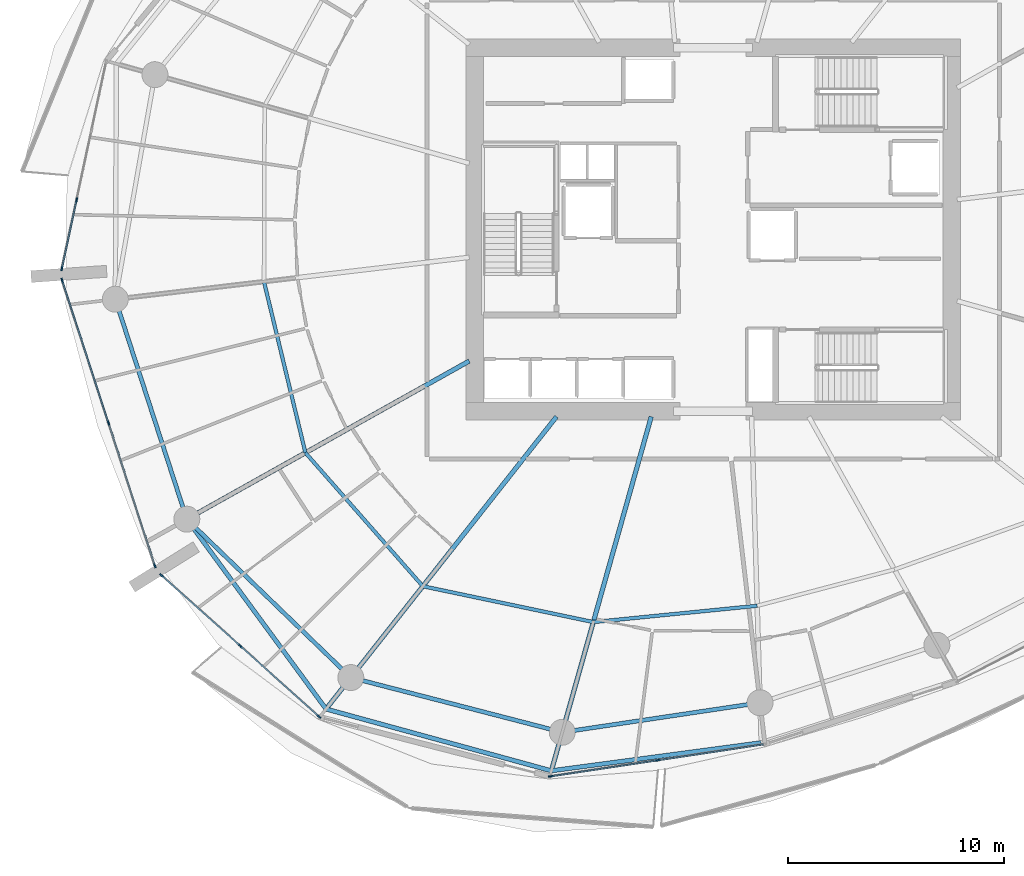
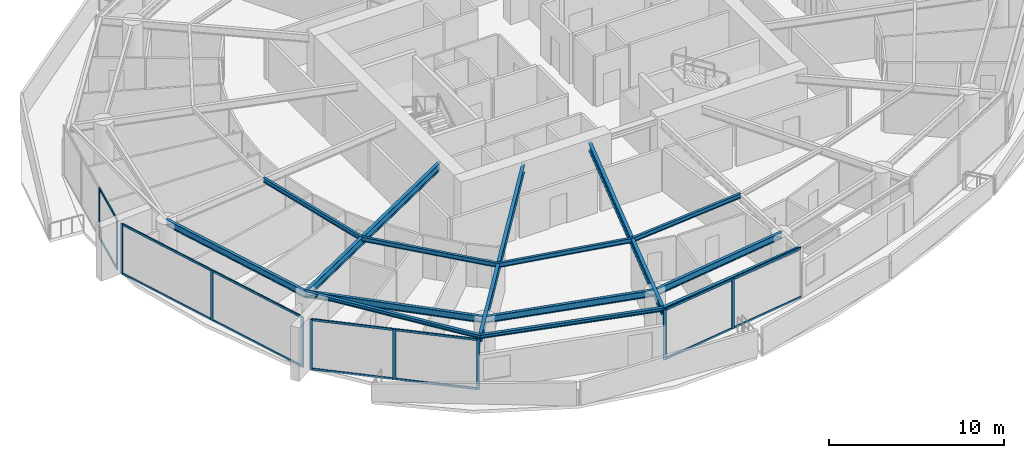
# One storey, part 5 of 23: 24 members, 14 beams, 4 elements without a shape of their own.
"""IFC4 building model written with IfcOpenShell, lengths in metres."""

import ifcopenshell
import ifcopenshell.guid

model = None  # the IFC model being written
_history = None  # IfcOwnerHistory: only IFC2X3 demands one
_inside = {}  # id of a spatial element -> (the spatial element, [elements in it])
_under = {}  # id of a project, library or spatial element -> (it, [spatial elements below it])
_declared = {}  # id of a project -> (the project, [libraries it declares])
_typed = {}  # id of a type object -> (the type object, [elements of that type])
_made_of = {}  # id of a material, layer set ... -> (it, [elements and type objects made of it])


def new_model(schema):
    """Start an empty IFC model of exactly this schema.

    Asked for "IFC4X3", IfcOpenShell would pick the latest addendum, in which some entities
    have other attributes; the version numbers below select the first issue.
    IFC2X3 requires an IfcOwnerHistory on every rooted entity: one is made here for all.
    """
    global model, _history
    if schema == "IFC4X3":
        model = ifcopenshell.file(schema_version=(4, 3, 0, 0))
    else:
        model = ifcopenshell.file(schema=schema)
    _inside.clear()
    _under.clear()
    _declared.clear()
    _typed.clear()
    _made_of.clear()
    _history = None
    if model.schema == "IFC2X3":
        org = make("IfcOrganization", Name="unknown")
        user = make(
            "IfcPersonAndOrganization",
            ThePerson=make("IfcPerson", FamilyName="unknown"),
            TheOrganization=org,
        )
        app = make(
            "IfcApplication",
            ApplicationDeveloper=org,
            Version="unknown",
            ApplicationFullName="unknown",
            ApplicationIdentifier="unknown",
        )
        _history = make(
            "IfcOwnerHistory",
            OwningUser=user,
            OwningApplication=app,
            ChangeAction="ADDED",
            CreationDate=0,
        )
    return model


def make(cls, **values):
    """One entity of the class cls with the attributes given. An attribute that is None is left unset."""
    return model.create_entity(
        cls, **{name: value for name, value in values.items() if value is not None}
    )


def rooted(cls, **values):
    """An entity with a GlobalId (a new one), such as an element, a storey or a relation."""
    return make(cls, GlobalId=ifcopenshell.guid.new(), OwnerHistory=_history, **values)


def si_unit(unit_type, name, prefix=None):
    """IfcSIUnit, for example si_unit("LENGTHUNIT", "METRE", prefix="MILLI")."""
    return make("IfcSIUnit", UnitType=unit_type, Prefix=prefix, Name=name)


def assignment(units):
    """IfcUnitAssignment: the units of a project."""
    return None if units is None else make("IfcUnitAssignment", Units=units)


def point(xyz):
    """IfcCartesianPoint."""
    return None if xyz is None else make("IfcCartesianPoint", Coordinates=xyz)


def direction(xyz):
    """IfcDirection."""
    return None if xyz is None else make("IfcDirection", DirectionRatios=xyz)


def frame(location, z_axis=None, x_axis=None):
    """IfcAxis2Placement3D, a coordinate frame: its origin and axes. An axis left out is left unset."""
    return make(
        "IfcAxis2Placement3D",
        Location=point(location),
        Axis=direction(z_axis),
        RefDirection=direction(x_axis),
    )


def frame_2d(location, x_axis=None):
    """IfcAxis2Placement2D, a coordinate frame in the plane: its origin and x axis."""
    return make(
        "IfcAxis2Placement2D", Location=point(location), RefDirection=direction(x_axis)
    )


def origin():
    """The frame at (0, 0, 0) with its axes left unset."""
    return frame((0.0, 0.0, 0.0))


def origin_2d():
    """The frame at (0, 0) in the plane with its x axis left unset."""
    return frame_2d((0.0, 0.0))


def place(relative_to, where):
    """IfcLocalPlacement: puts the frame where relative to a parent placement (None: the world)."""
    return make(
        "IfcLocalPlacement", PlacementRelTo=relative_to, RelativePlacement=where
    )


def context(
    kind, dimensions, precision=None, world=None, true_north=None, identifier=None
):
    """IfcGeometricRepresentationContext, for example the 3D "Model" context."""
    return make(
        "IfcGeometricRepresentationContext",
        ContextIdentifier=identifier,
        ContextType=kind,
        CoordinateSpaceDimension=dimensions,
        Precision=precision,
        WorldCoordinateSystem=world,
        TrueNorth=true_north,
    )


def subcontext(parent, identifier, kind, view, scale=None):
    """IfcGeometricRepresentationSubContext, for example "Body" below "Model"."""
    return make(
        "IfcGeometricRepresentationSubContext",
        ContextIdentifier=identifier,
        ContextType=kind,
        ParentContext=parent,
        TargetScale=scale,
        TargetView=view,
    )


def project(units=None, contexts=None):
    """IfcProject with its units and contexts."""
    return rooted(
        "IfcProject",
        Name="project",
        RepresentationContexts=contexts,
        UnitsInContext=assignment(units),
    )


def spatial(cls, under=None, at=None, **own):
    """A site, building, storey or space (cls), placed at a placement, below another one or the project."""
    s = rooted(cls, ObjectPlacement=at, **own)
    if under is not None:
        _under.setdefault(under.id(), (under, []))[1].append(s)
    return s


def profile(cls, at=None, kind="AREA", **sizes):
    """A parametric profile (cls). Its sizes go by their IFC names, for example OverallWidth=200.0."""
    return make(cls, ProfileType=kind, Position=at, **sizes)


def rectangle(**sizes):
    """IfcRectangleProfileDef."""
    return profile("IfcRectangleProfileDef", **sizes)


def i_section(**sizes):
    """IfcIShapeProfileDef."""
    return profile("IfcIShapeProfileDef", **sizes)


def extrude(swept, where, along, depth):
    """IfcExtrudedAreaSolid: the profile swept, set in the frame where, extruded along a direction by depth."""
    return make(
        "IfcExtrudedAreaSolid",
        SweptArea=swept,
        Position=where,
        ExtrudedDirection=direction(along),
        Depth=depth,
    )


def shape(context_of_items, identifier, shape_type, items):
    """IfcShapeRepresentation: the items that make up one representation, for example the "Body"."""
    return make(
        "IfcShapeRepresentation",
        ContextOfItems=context_of_items,
        RepresentationIdentifier=identifier,
        RepresentationType=shape_type,
        Items=items,
    )


def material(Name=None, Category=None):
    """IfcMaterial."""
    return make("IfcMaterial", Name=Name, Category=Category)


def layer(
    of_material, thickness, ventilated=None, Name=None, Category=None, Priority=None
):
    """IfcMaterialLayer: one layer of a wall or slab, of a material (None: an air gap)."""
    return make(
        "IfcMaterialLayer",
        Material=of_material,
        LayerThickness=thickness,
        IsVentilated=ventilated,
        Name=Name,
        Category=Category,
        Priority=Priority,
    )


def layer_set(layers, Name=None):
    """IfcMaterialLayerSet."""
    return make("IfcMaterialLayerSet", MaterialLayers=layers, LayerSetName=Name)


def material_profile(
    of_material, cross_section, Name=None, Category=None, Priority=None
):
    """IfcMaterialProfile: a cross section and its material."""
    return make(
        "IfcMaterialProfile",
        Name=Name,
        Material=of_material,
        Profile=cross_section,
        Priority=Priority,
        Category=Category,
    )


def profile_set(profiles, Name=None, composite=None):
    """IfcMaterialProfileSet."""
    return make(
        "IfcMaterialProfileSet",
        Name=Name,
        MaterialProfiles=profiles,
        CompositeProfile=composite,
    )


def made_of(thing, what):
    """Note that an element or type object is made of a material, layer set ...; save() writes the relation."""
    if what is not None:
        _made_of.setdefault(what.id(), (what, []))[1].append(thing)
    return thing


def type_object(cls, material=None, **own):
    """A type object (cls), such as IfcWallType, which elements share."""
    return made_of(rooted(cls, **own), material)


def element(
    cls,
    number,
    at=None,
    inside=None,
    cuts=None,
    type_object=None,
    material=None,
    context=None,
    identifier="Body",
    shape_type=None,
    held_by="IfcProductDefinitionShape",
    body=None,
    shapes=None,
    **own,
):
    """One element of the class cls, such as IfcWall. Its Tag is "e" and its number.

    at: its placement. inside: the storey or other place that contains it. cuts: it is an
    opening in that element (IfcRelVoidsElement). A single representation is given by context,
    identifier, shape_type and body (its items); several are given by shapes. held_by: the class
    of the entity that holds the representations. save() writes the other relations.
    """
    e = rooted(cls, Tag="e%d" % number, ObjectPlacement=at, **own)
    if body is not None:
        shapes = [shape(context, identifier, shape_type, body)]
    if shapes is not None:
        e.Representation = make(held_by, Representations=shapes)
    if inside is not None:
        _inside.setdefault(inside.id(), (inside, []))[1].append(e)
    if cuts is not None:
        rooted(
            "IfcRelVoidsElement", RelatingBuildingElement=cuts, RelatedOpeningElement=e
        )
    if type_object is not None:
        _typed.setdefault(type_object.id(), (type_object, []))[1].append(e)
    return made_of(e, material)


def aggregate(whole, parts):
    """IfcRelAggregates: a whole, such as a stair, and the parts it consists of."""
    return rooted("IfcRelAggregates", RelatingObject=whole, RelatedObjects=parts)


def save(model, path):
    """Write the relations noted so far, then the file.

    IfcRelAggregates (storeys below a building ...), IfcRelContainedInSpatialStructure (elements
    in a storey), IfcRelDefinesByType, IfcRelAssociatesMaterial and IfcRelDeclares: one each for
    every whole, place, type object, material and project.
    """
    for whole, parts in _under.values():
        aggregate(whole, parts)
    for where, things in _inside.values():
        rooted(
            "IfcRelContainedInSpatialStructure",
            RelatedElements=things,
            RelatingStructure=where,
        )
    for kind, things in _typed.values():
        rooted("IfcRelDefinesByType", RelatedObjects=things, RelatingType=kind)
    for what, things in _made_of.values():
        rooted("IfcRelAssociatesMaterial", RelatedObjects=things, RelatingMaterial=what)
    for by, libraries in _declared.values():
        rooted("IfcRelDeclares", RelatingContext=by, RelatedDefinitions=libraries)
    model.write(path)


model = new_model("IFC4")

# Units and contexts
model_context = context("Model", 3, precision=1e-05, world=origin(), true_north=direction((0.0, 1.0)))
body_context = subcontext(model_context, "Body", "Model", "MODEL_VIEW")
ifc_project = project(units=[si_unit("LENGTHUNIT", "METRE"), si_unit("AREAUNIT", "SQUARE_METRE"), si_unit("VOLUMEUNIT", "CUBIC_METRE"), si_unit("PLANEANGLEUNIT", "RADIAN"), si_unit("MASSUNIT", "GRAM", prefix="KILO")], contexts=[model_context])

# Site, building, storey
site_placement = place(None, origin())
site = spatial("IfcSite", under=ifc_project, at=site_placement, CompositionType="ELEMENT")
building_placement = place(site_placement, origin())
building = spatial("IfcBuilding", under=site, at=building_placement, Name="Kazma Halo Residences", CompositionType="ELEMENT")
storey_placement = place(building_placement, frame((0.0, 0.0, 78.89990234375)))
storey = spatial("IfcBuildingStorey", under=building, at=storey_placement, Name="L19", CompositionType="ELEMENT", Elevation=78.89990234375)

# Beams
ifc_material_1 = material(Name="Steel S355", Category="steel")
ifc_material_profile_1 = material_profile(ifc_material_1, i_section(OverallWidth=0.201904296875, OverallDepth=0.2470703125, WebThickness=0.00732421875, FlangeThickness=0.010986328125, FilletRadius=0.011962890625, at=origin_2d()), Name="W250x49.1")
ifc_profile_set_1 = profile_set([ifc_material_profile_1], Name="Steel S355")
beam_type_1 = type_object("IfcBeamType", Name="BM-BAL-CANT", PredefinedType="BEAM", material=ifc_profile_set_1)
beam_1_placement = place(storey_placement, frame((24.0966796875, 28.613525390625, 3.376708984375), z_axis=(0.59144927253, -0.806342209005, 0.0), x_axis=(0.806342209005, 0.59144927253, 0.0)))
element("IfcBeam", 1, at=beam_1_placement, inside=storey, type_object=beam_type_1, Name="L19 wave-balcony lead tie beam 09", PredefinedType="BEAM", context=body_context, shape_type="SweptSolid", body=[
    extrude(i_section(OverallWidth=0.201904296875, OverallDepth=0.2470703125, WebThickness=0.00732421875, FlangeThickness=0.010986328125, FilletRadius=0.011962890625, at=origin_2d()), origin(), (0.0, 0.0, 1.0), 10.87939453125),
])
beam_2_placement = place(storey_placement, frame((30.53125, 19.841064453125, 3.376708984375), z_axis=(0.964396617, -0.264460139, 0.0), x_axis=(0.264460139, 0.964396617, 0.0)))
element("IfcBeam", 2, at=beam_2_placement, inside=storey, type_object=beam_type_1, Name="L19 wave-balcony tie beam 10", PredefinedType="BEAM", context=body_context, shape_type="SweptSolid", body=[
    extrude(i_section(OverallWidth=0.201904296875, OverallDepth=0.2470703125, WebThickness=0.00732421875, FlangeThickness=0.010986328125, FilletRadius=0.011962890625, at=origin_2d()), origin(), (0.0, 0.0, 1.0), 10.79833984375),
])
beam_3_placement = place(storey_placement, frame((40.945068359375, 16.9853515625, 3.376708984375), z_axis=(0.991182511795, 0.13250369169, 0.0), x_axis=(-0.13250369169, 0.991182511795, 0.0)))
element("IfcBeam", 3, at=beam_3_placement, inside=storey, type_object=beam_type_1, Name="L19 wave-balcony tie beam 11", PredefinedType="BEAM", context=body_context, shape_type="SweptSolid", body=[
    extrude(i_section(OverallWidth=0.201904296875, OverallDepth=0.2470703125, WebThickness=0.00732421875, FlangeThickness=0.010986328125, FilletRadius=0.011962890625, at=origin_2d()), origin(), (0.0, 0.0, 1.0), 9.78369140625),
])
ifc_material_profile_2 = material_profile(ifc_material_1, i_section(OverallWidth=0.208984375, OverallDepth=0.532958984375, WebThickness=0.01025390625, FlangeThickness=0.015625, FilletRadius=0.01611328125, at=origin_2d()), Name="W530x92")
ifc_profile_set_2 = profile_set([ifc_material_profile_2], Name="Steel S355")
beam_type_2 = type_object("IfcBeamType", Name="BM-RAD-W530", PredefinedType="BEAM", material=ifc_profile_set_2)
beam_4_placement = place(storey_placement, frame((37.14990234375, 35.923583984375, 3.233642578125), z_axis=(-0.87249878074, -0.488616288724, 0.0), x_axis=(0.488616288724, -0.87249878074, 0.0)))
element("IfcBeam", 4, at=beam_4_placement, inside=storey, type_object=beam_type_2, Name="L19 radial floor beam 09", PredefinedType="BEAM", context=body_context, shape_type="SweptSolid", body=[
    extrude(i_section(OverallWidth=0.208984375, OverallDepth=0.532958984375, WebThickness=0.01025390625, FlangeThickness=0.015625, FilletRadius=0.01611328125, at=origin_2d()), origin(), (0.0, 0.0, 1.0), 14.960693359375),
])
beam_5_placement = place(storey_placement, frame((41.180908203125, 33.35009765625, 3.233642578125), z_axis=(-0.619093774822, -0.785317068436, 0.0), x_axis=(0.785317068436, -0.619093774822, 0.0)))
element("IfcBeam", 5, at=beam_5_placement, inside=storey, type_object=beam_type_2, Name="L19 radial floor beam 10", PredefinedType="BEAM", context=body_context, shape_type="SweptSolid", body=[
    extrude(i_section(OverallWidth=0.208984375, OverallDepth=0.532958984375, WebThickness=0.01025390625, FlangeThickness=0.015625, FilletRadius=0.01611328125, at=origin_2d()), origin(), (0.0, 0.0, 1.0), 17.201904296875),
])
beam_6_placement = place(storey_placement, frame((45.560302734375, 33.35009765625, 3.233642578125), z_axis=(-0.271434928076, -0.962456793742, 0.0), x_axis=(0.962456793742, -0.271434928076, 0.0)))
element("IfcBeam", 6, at=beam_6_placement, inside=storey, type_object=beam_type_2, Name="L19 radial floor beam 11", PredefinedType="BEAM", context=body_context, shape_type="SweptSolid", body=[
    extrude(i_section(OverallWidth=0.208984375, OverallDepth=0.532958984375, WebThickness=0.01025390625, FlangeThickness=0.015625, FilletRadius=0.01611328125, at=origin_2d()), origin(), (0.0, 0.0, 1.0), 17.003173828125),
])
ifc_material_profile_3 = material_profile(ifc_material_1, i_section(OverallWidth=0.1650390625, OverallDepth=0.31005859375, WebThickness=0.005859375, FlangeThickness=0.009765625, FilletRadius=0.011962890625, at=origin_2d()), Name="W310x38.7")
ifc_profile_set_3 = profile_set([ifc_material_profile_3], Name="Steel S355")
beam_type_3 = type_object("IfcBeamType", Name="BM-SEC-W310B", PredefinedType="JOIST", material=ifc_profile_set_3)
beam_7_placement = place(storey_placement, frame((27.6630859375, 39.593017578125, 3.34521484375), z_axis=(0.235442033286, -0.971888393264, 0.0), x_axis=(0.971888393264, 0.235442033286, 0.0)))
element("IfcBeam", 7, at=beam_7_placement, inside=storey, type_object=beam_type_3, Name="L19 circumferential floor joist 08", PredefinedType="JOIST", context=body_context, shape_type="SweptSolid", body=[
    extrude(i_section(OverallWidth=0.1650390625, OverallDepth=0.31005859375, WebThickness=0.005859375, FlangeThickness=0.009765625, FilletRadius=0.011962890625, at=origin_2d()), origin(), (0.0, 0.0, 1.0), 8.137939453125),
])
beam_8_placement = place(storey_placement, frame((29.5791015625, 31.683837890625, 3.34521484375), z_axis=(0.660379309564, -0.750932199003, 0.0), x_axis=(0.750932199003, 0.660379309564, 0.0)))
element("IfcBeam", 8, at=beam_8_placement, inside=storey, type_object=beam_type_3, Name="L19 circumferential floor joist 09", PredefinedType="JOIST", context=body_context, shape_type="SweptSolid", body=[
    extrude(i_section(OverallWidth=0.1650390625, OverallDepth=0.31005859375, WebThickness=0.005859375, FlangeThickness=0.009765625, FilletRadius=0.011962890625, at=origin_2d()), origin(), (0.0, 0.0, 1.0), 8.215087890625),
])
beam_9_placement = place(storey_placement, frame((35.004150390625, 25.514892578125, 3.34521484375), z_axis=(0.978607976751, -0.205733876255, 0.0), x_axis=(0.205733876255, 0.978607976751, 0.0)))
element("IfcBeam", 9, at=beam_9_placement, inside=storey, type_object=beam_type_3, Name="L19 circumferential floor joist 10", PredefinedType="JOIST", context=body_context, shape_type="SweptSolid", body=[
    extrude(i_section(OverallWidth=0.1650390625, OverallDepth=0.31005859375, WebThickness=0.005859375, FlangeThickness=0.009765625, FilletRadius=0.011962890625, at=origin_2d()), origin(), (0.0, 0.0, 1.0), 8.051513671875),
])
beam_10_placement = place(storey_placement, frame((42.883544921875, 23.8583984375, 3.34521484375), z_axis=(0.995106821048, 0.098804932586, 0.0), x_axis=(-0.098804932586, 0.995106821048, 0.0)))
element("IfcBeam", 10, at=beam_10_placement, inside=storey, type_object=beam_type_3, Name="L19 circumferential floor joist 11", PredefinedType="JOIST", context=body_context, shape_type="SweptSolid", body=[
    extrude(i_section(OverallWidth=0.1650390625, OverallDepth=0.31005859375, WebThickness=0.005859375, FlangeThickness=0.009765625, FilletRadius=0.011962890625, at=origin_2d()), origin(), (0.0, 0.0, 1.0), 7.610595703125),
])
ifc_material_profile_4 = material_profile(ifc_material_1, i_section(OverallWidth=0.18994140625, OverallDepth=0.45703125, WebThickness=0.009033203125, FlangeThickness=0.014404296875, FilletRadius=0.01611328125, at=origin_2d()), Name="W460x74")
ifc_profile_set_4 = profile_set([ifc_material_profile_4], Name="Steel S355")
beam_type_4 = type_object("IfcBeamType", Name="BM-SPN-W460", PredefinedType="BEAM", material=ifc_profile_set_4)
beam_11_placement = place(storey_placement, frame((20.79345703125, 38.77978515625, 3.271484375), z_axis=(0.309017385422, -0.951056389236, 0.0), x_axis=(0.951056389236, 0.309017385422, 0.0)))
element("IfcBeam", 11, at=beam_11_placement, inside=storey, type_object=beam_type_4, Name="L19 perimeter ring beam 08", PredefinedType="BEAM", context=body_context, shape_type="SweptSolid", body=[
    extrude(i_section(OverallWidth=0.18994140625, OverallDepth=0.45703125, WebThickness=0.009033203125, FlangeThickness=0.014404296875, FilletRadius=0.01611328125, at=origin_2d()), origin(), (0.0, 0.0, 1.0), 10.689453125),
])
beam_12_placement = place(storey_placement, frame((24.0966796875, 28.613525390625, 3.271484375), z_axis=(0.719336783114, -0.694661494873, 0.0), x_axis=(0.694661494873, 0.719336783114, 0.0)))
element("IfcBeam", 12, at=beam_12_placement, inside=storey, type_object=beam_type_4, Name="L19 perimeter ring beam 09", PredefinedType="BEAM", context=body_context, shape_type="SweptSolid", body=[
    extrude(i_section(OverallWidth=0.18994140625, OverallDepth=0.45703125, WebThickness=0.009033203125, FlangeThickness=0.014404296875, FilletRadius=0.01611328125, at=origin_2d()), origin(), (0.0, 0.0, 1.0), 10.537353515625),
])
beam_13_placement = place(storey_placement, frame((31.676513671875, 21.293701171875, 3.271484375), z_axis=(0.968124968683, -0.250467652626, 0.0), x_axis=(0.250467652626, 0.968124968683, 0.0)))
element("IfcBeam", 13, at=beam_13_placement, inside=storey, type_object=beam_type_4, Name="L19 perimeter ring beam 10", PredefinedType="BEAM", context=body_context, shape_type="SweptSolid", body=[
    extrude(i_section(OverallWidth=0.18994140625, OverallDepth=0.45703125, WebThickness=0.009033203125, FlangeThickness=0.014404296875, FilletRadius=0.01611328125, at=origin_2d()), origin(), (0.0, 0.0, 1.0), 10.092529296875),
])
beam_14_placement = place(storey_placement, frame((41.447265625, 18.765869140625, 3.271484375), z_axis=(0.989034176303, 0.147686824414, 0.0), x_axis=(-0.147686824414, 0.989034176303, 0.0)))
element("IfcBeam", 14, at=beam_14_placement, inside=storey, type_object=beam_type_4, Name="L19 perimeter ring beam 11", PredefinedType="BEAM", context=body_context, shape_type="SweptSolid", body=[
    extrude(i_section(OverallWidth=0.18994140625, OverallDepth=0.45703125, WebThickness=0.009033203125, FlangeThickness=0.014404296875, FilletRadius=0.01611328125, at=origin_2d()), origin(), (0.0, 0.0, 1.0), 9.242431640625),
])

# Curtain wall, members
ifc_material_2 = material(Name="Aluminium AW-6063 T6 and Triple-Silver Low-E Glass", Category="aluminium")
ifc_layer = layer(ifc_material_2, 0.199951171875)
ifc_layer_set = layer_set([ifc_layer], Name="Aluminium AW-6063 T6 and Triple-Silver Low-E Glass")
curtain_wall_type = type_object("IfcCurtainWallType", Name="CW-SYS-3", PredefinedType="NOTDEFINED", material=ifc_layer_set)
curtain_wall_1_placement = place(storey_placement, origin())
curtain_wall_1 = element("IfcCurtainWall", 15, at=curtain_wall_1_placement, inside=storey, type_object=curtain_wall_type, Name="L19 unitised curtain wall B07", PredefinedType="NOTDEFINED")
ifc_material_3 = material(Name="Aluminium AW-6063 T6", Category="aluminium")
ifc_material_profile_5 = material_profile(ifc_material_3, rectangle(XDim=0.070068359375, YDim=0.199951171875, at=origin_2d()), Name="CWM-70x200")
ifc_profile_set_5 = profile_set([ifc_material_profile_5], Name="Aluminium AW-6063 T6")
member_type_1 = type_object("IfcMemberType", Name="CW-SYS-3-MUL", PredefinedType="MULLION", material=ifc_profile_set_5)
member_1_placement = place(storey_placement, frame((19.004638671875, 43.36865234375, 0.0), z_axis=(0.0, 0.0, 1.0), x_axis=(0.977774176093, -0.209660822677, 0.0)))
member_1 = element("IfcMember", 16, at=member_1_placement, type_object=member_type_1, Name="CWS-3 mullion 3", PredefinedType="MULLION", context=body_context, shape_type="SweptSolid", body=[
    extrude(rectangle(XDim=0.070068359375, YDim=0.199951171875, at=origin_2d()), origin(), (0.0, 0.0, 1.0), 3.5),
])
member_2_placement = place(storey_placement, frame((18.323486328125, 40.192626953125, 0.0), z_axis=(0.0, 0.0, 1.0), x_axis=(0.977774176093, -0.209660822677, 0.0)))
member_2 = element("IfcMember", 17, at=member_2_placement, type_object=member_type_1, Name="CWS-3 mullion 4", PredefinedType="MULLION", context=body_context, shape_type="SweptSolid", body=[
    extrude(rectangle(XDim=0.070068359375, YDim=0.199951171875, at=origin_2d()), origin(), (0.0, 0.0, 1.0), 3.5),
])

curtain_wall_2_placement = place(storey_placement, origin())
curtain_wall_2 = element("IfcCurtainWall", 18, at=curtain_wall_2_placement, inside=storey, type_object=curtain_wall_type, Name="L19 unitised curtain wall B08", PredefinedType="NOTDEFINED")
member_3_placement = place(storey_placement, frame((18.334716796875, 39.6572265625, 0.0), z_axis=(0.0, 0.0, 1.0), x_axis=(0.951057722508, 0.309013282008, 0.0)))
member_3 = element("IfcMember", 19, at=member_3_placement, type_object=member_type_1, Name="CWS-3 mullion 1", PredefinedType="MULLION", context=body_context, shape_type="SweptSolid", body=[
    extrude(rectangle(XDim=0.070068359375, YDim=0.199951171875, at=origin_2d()), origin(), (0.0, 0.0, 1.0), 3.5),
])
member_4_placement = place(storey_placement, frame((20.47900390625, 33.057861328125, 0.0), z_axis=(0.0, 0.0, 1.0), x_axis=(0.951057722508, 0.309013282008, 0.0)))
member_4 = element("IfcMember", 20, at=member_4_placement, type_object=member_type_1, Name="CWS-3 mullion 2", PredefinedType="MULLION", context=body_context, shape_type="SweptSolid", body=[
    extrude(rectangle(XDim=0.070068359375, YDim=0.199951171875, at=origin_2d()), origin(), (0.0, 0.0, 1.0), 3.5),
])
member_5_placement = place(storey_placement, frame((22.623291015625, 26.45849609375, 0.0), z_axis=(0.0, 0.0, 1.0), x_axis=(0.951057722508, 0.309013282008, 0.0)))
member_5 = element("IfcMember", 21, at=member_5_placement, type_object=member_type_1, Name="CWS-3 mullion 3", PredefinedType="MULLION", context=body_context, shape_type="SweptSolid", body=[
    extrude(rectangle(XDim=0.070068359375, YDim=0.199951171875, at=origin_2d()), origin(), (0.0, 0.0, 1.0), 3.5),
])

curtain_wall_3_placement = place(storey_placement, origin())
curtain_wall_3 = element("IfcCurtainWall", 22, at=curtain_wall_3_placement, inside=storey, type_object=curtain_wall_type, Name="L19 unitised curtain wall B09", PredefinedType="NOTDEFINED")
member_6_placement = place(storey_placement, frame((22.928955078125, 26.018798828125, 0.0), z_axis=(0.0, 0.0, 1.0), x_axis=(0.667794957375, 0.744345279359, 0.0)))
member_6 = element("IfcMember", 23, at=member_6_placement, type_object=member_type_1, Name="CWS-3 mullion 1", PredefinedType="MULLION", context=body_context, shape_type="SweptSolid", body=[
    extrude(rectangle(XDim=0.070068359375, YDim=0.199951171875, at=origin_2d()), origin(), (0.0, 0.0, 1.0), 3.5),
])
member_7_placement = place(storey_placement, frame((26.568603515625, 22.75341796875, 0.0), z_axis=(0.0, 0.0, 1.0), x_axis=(0.667794957375, 0.744345279359, 0.0)))
member_7 = element("IfcMember", 24, at=member_7_placement, type_object=member_type_1, Name="CWS-3 mullion 2", PredefinedType="MULLION", context=body_context, shape_type="SweptSolid", body=[
    extrude(rectangle(XDim=0.070068359375, YDim=0.199951171875, at=origin_2d()), origin(), (0.0, 0.0, 1.0), 3.5),
])
member_8_placement = place(storey_placement, frame((30.208251953125, 19.48779296875, 0.0), z_axis=(0.0, 0.0, 1.0), x_axis=(0.667794957375, 0.744345279359, 0.0)))
member_8 = element("IfcMember", 25, at=member_8_placement, type_object=member_type_1, Name="CWS-3 mullion 3", PredefinedType="MULLION", context=body_context, shape_type="SweptSolid", body=[
    extrude(rectangle(XDim=0.070068359375, YDim=0.199951171875, at=origin_2d()), origin(), (0.0, 0.0, 1.0), 3.5),
])

curtain_wall_4_placement = place(storey_placement, origin())
curtain_wall_4 = element("IfcCurtainWall", 26, at=curtain_wall_4_placement, inside=storey, type_object=curtain_wall_type, Name="L19 unitised curtain wall B11", PredefinedType="NOTDEFINED")
member_9_placement = place(storey_placement, frame((40.90576171875, 16.728271484375, 0.0), z_axis=(0.0, 0.0, 1.0), x_axis=(-0.148717330409, 0.988879747814, 0.0)))
member_9 = element("IfcMember", 27, at=member_9_placement, type_object=member_type_1, Name="CWS-3 mullion 1", PredefinedType="MULLION", context=body_context, shape_type="SweptSolid", body=[
    extrude(rectangle(XDim=0.070068359375, YDim=0.199951171875, at=origin_2d()), origin(), (0.0, 0.0, 1.0), 3.5),
])
member_10_placement = place(storey_placement, frame((45.843017578125, 17.470703125, 0.0), z_axis=(0.0, 0.0, 1.0), x_axis=(-0.148717330409, 0.988879747814, 0.0)))
member_10 = element("IfcMember", 28, at=member_10_placement, type_object=member_type_1, Name="CWS-3 mullion 2", PredefinedType="MULLION", context=body_context, shape_type="SweptSolid", body=[
    extrude(rectangle(XDim=0.070068359375, YDim=0.199951171875, at=origin_2d()), origin(), (0.0, 0.0, 1.0), 3.5),
])

# Member
ifc_material_profile_6 = material_profile(ifc_material_3, rectangle(XDim=0.070068359375, YDim=0.14990234375, at=origin_2d()), Name="CWT-70x150")
ifc_profile_set_6 = profile_set([ifc_material_profile_6], Name="Aluminium AW-6063 T6")
member_type_2 = type_object("IfcMemberType", Name="CW-SYS-3-TRN", PredefinedType="USERDEFINED", material=ifc_profile_set_6)
member_11_placement = place(storey_placement, frame((18.997314453125, 43.33447265625, 0.03515625), z_axis=(-0.209717949017, -0.977761924939, 0.0), x_axis=(0.977761924939, -0.209717949017, 0.0)))
member_11 = element("IfcMember", 29, at=member_11_placement, type_object=member_type_2, Name="CWS-3 transom 3.1", ObjectType="TRANSOM", PredefinedType="USERDEFINED", context=body_context, shape_type="SweptSolid", body=[
    extrude(rectangle(XDim=0.070068359375, YDim=0.14990234375, at=origin_2d()), origin(), (0.0, 0.0, 1.0), 3.177978515625),
])

member_12_placement = place(storey_placement, frame((18.997314453125, 43.33447265625, 3.465087890625), z_axis=(-0.209717949017, -0.977761924939, 0.0), x_axis=(0.977761924939, -0.209717949017, 0.0)))
member_12 = element("IfcMember", 30, at=member_12_placement, type_object=member_type_2, Name="CWS-3 transom 3.2", ObjectType="TRANSOM", PredefinedType="USERDEFINED", context=body_context, shape_type="SweptSolid", body=[
    extrude(rectangle(XDim=0.070068359375, YDim=0.14990234375, at=origin_2d()), origin(), (0.0, 0.0, 1.0), 3.177978515625),
])

aggregate(curtain_wall_1, [member_1, member_2, member_11, member_12])

member_13_placement = place(storey_placement, frame((18.345458984375, 39.6240234375, 0.03515625), z_axis=(0.309000079699, -0.95106201204, 0.0), x_axis=(0.95106201204, 0.309000079699, 0.0)))
member_13 = element("IfcMember", 31, at=member_13_placement, type_object=member_type_2, Name="CWS-3 transom 1.1", ObjectType="TRANSOM", PredefinedType="USERDEFINED", context=body_context, shape_type="SweptSolid", body=[
    extrude(rectangle(XDim=0.070068359375, YDim=0.14990234375, at=origin_2d()), origin(), (0.0, 0.0, 1.0), 6.869140625),
])

member_14_placement = place(storey_placement, frame((18.345458984375, 39.6240234375, 3.465087890625), z_axis=(0.309000079699, -0.95106201204, 0.0), x_axis=(0.95106201204, 0.309000079699, 0.0)))
member_14 = element("IfcMember", 32, at=member_14_placement, type_object=member_type_2, Name="CWS-3 transom 1.2", ObjectType="TRANSOM", PredefinedType="USERDEFINED", context=body_context, shape_type="SweptSolid", body=[
    extrude(rectangle(XDim=0.070068359375, YDim=0.14990234375, at=origin_2d()), origin(), (0.0, 0.0, 1.0), 6.869140625),
])

member_15_placement = place(storey_placement, frame((20.48974609375, 33.024658203125, 0.03515625), z_axis=(0.309000079699, -0.95106201204, 0.0), x_axis=(0.95106201204, 0.309000079699, 0.0)))
member_15 = element("IfcMember", 33, at=member_15_placement, type_object=member_type_2, Name="CWS-3 transom 2.1", ObjectType="TRANSOM", PredefinedType="USERDEFINED", context=body_context, shape_type="SweptSolid", body=[
    extrude(rectangle(XDim=0.070068359375, YDim=0.14990234375, at=origin_2d()), origin(), (0.0, 0.0, 1.0), 6.869140625),
])

member_16_placement = place(storey_placement, frame((20.48974609375, 33.024658203125, 3.465087890625), z_axis=(0.309000079699, -0.95106201204, 0.0), x_axis=(0.95106201204, 0.309000079699, 0.0)))
member_16 = element("IfcMember", 34, at=member_16_placement, type_object=member_type_2, Name="CWS-3 transom 2.2", ObjectType="TRANSOM", PredefinedType="USERDEFINED", context=body_context, shape_type="SweptSolid", body=[
    extrude(rectangle(XDim=0.070068359375, YDim=0.14990234375, at=origin_2d()), origin(), (0.0, 0.0, 1.0), 6.869140625),
])

aggregate(curtain_wall_2, [member_3, member_4, member_5, member_13, member_14, member_15, member_16])

member_17_placement = place(storey_placement, frame((22.954833984375, 25.995361328125, 0.03515625), z_axis=(0.744338471453, -0.667802545603, 0.0), x_axis=(0.667802545603, 0.744338471453, 0.0)))
member_17 = element("IfcMember", 35, at=member_17_placement, type_object=member_type_2, Name="CWS-3 transom 1.1", ObjectType="TRANSOM", PredefinedType="USERDEFINED", context=body_context, shape_type="SweptSolid", body=[
    extrude(rectangle(XDim=0.070068359375, YDim=0.14990234375, at=origin_2d()), origin(), (0.0, 0.0, 1.0), 4.81982421875),
])

member_18_placement = place(storey_placement, frame((22.954833984375, 25.995361328125, 3.465087890625), z_axis=(0.744338471453, -0.667802545603, 0.0), x_axis=(0.667802545603, 0.744338471453, 0.0)))
member_18 = element("IfcMember", 36, at=member_18_placement, type_object=member_type_2, Name="CWS-3 transom 1.2", ObjectType="TRANSOM", PredefinedType="USERDEFINED", context=body_context, shape_type="SweptSolid", body=[
    extrude(rectangle(XDim=0.070068359375, YDim=0.14990234375, at=origin_2d()), origin(), (0.0, 0.0, 1.0), 4.81982421875),
])

member_19_placement = place(storey_placement, frame((26.5947265625, 22.72998046875, 0.03515625), z_axis=(0.744338471453, -0.667802545603, 0.0), x_axis=(0.667802545603, 0.744338471453, 0.0)))
member_19 = element("IfcMember", 37, at=member_19_placement, type_object=member_type_2, Name="CWS-3 transom 2.1", ObjectType="TRANSOM", PredefinedType="USERDEFINED", context=body_context, shape_type="SweptSolid", body=[
    extrude(rectangle(XDim=0.070068359375, YDim=0.14990234375, at=origin_2d()), origin(), (0.0, 0.0, 1.0), 4.81982421875),
])

member_20_placement = place(storey_placement, frame((26.5947265625, 22.72998046875, 3.465087890625), z_axis=(0.744338471453, -0.667802545603, 0.0), x_axis=(0.667802545603, 0.744338471453, 0.0)))
member_20 = element("IfcMember", 38, at=member_20_placement, type_object=member_type_2, Name="CWS-3 transom 2.2", ObjectType="TRANSOM", PredefinedType="USERDEFINED", context=body_context, shape_type="SweptSolid", body=[
    extrude(rectangle(XDim=0.070068359375, YDim=0.14990234375, at=origin_2d()), origin(), (0.0, 0.0, 1.0), 4.81982421875),
])

aggregate(curtain_wall_3, [member_6, member_7, member_8, member_17, member_18, member_19, member_20])

member_21_placement = place(storey_placement, frame((40.9404296875, 16.7333984375, 0.03515625), z_axis=(0.988876977991, 0.148735746878, 0.0), x_axis=(-0.148735746878, 0.988876977991, 0.0)))
member_21 = element("IfcMember", 39, at=member_21_placement, type_object=member_type_2, Name="CWS-3 transom 1.1", ObjectType="TRANSOM", PredefinedType="USERDEFINED", context=body_context, shape_type="SweptSolid", body=[
    extrude(rectangle(XDim=0.070068359375, YDim=0.14990234375, at=origin_2d()), origin(), (0.0, 0.0, 1.0), 4.922607421875),
])

member_22_placement = place(storey_placement, frame((40.9404296875, 16.7333984375, 3.465087890625), z_axis=(0.988876977991, 0.148735746878, 0.0), x_axis=(-0.148735746878, 0.988876977991, 0.0)))
member_22 = element("IfcMember", 40, at=member_22_placement, type_object=member_type_2, Name="CWS-3 transom 1.2", ObjectType="TRANSOM", PredefinedType="USERDEFINED", context=body_context, shape_type="SweptSolid", body=[
    extrude(rectangle(XDim=0.070068359375, YDim=0.14990234375, at=origin_2d()), origin(), (0.0, 0.0, 1.0), 4.922607421875),
])

member_23_placement = place(storey_placement, frame((45.87744140625, 17.47607421875, 0.03515625), z_axis=(0.988884271372, 0.148687248386, 0.0), x_axis=(-0.148687248386, 0.988884271372, 0.0)))
member_23 = element("IfcMember", 41, at=member_23_placement, type_object=member_type_2, Name="CWS-3 transom 2.1", ObjectType="TRANSOM", PredefinedType="USERDEFINED", context=body_context, shape_type="SweptSolid", body=[
    extrude(rectangle(XDim=0.070068359375, YDim=0.14990234375, at=origin_2d()), origin(), (0.0, 0.0, 1.0), 4.922607421875),
])

member_24_placement = place(storey_placement, frame((45.87744140625, 17.47607421875, 3.465087890625), z_axis=(0.988884271372, 0.148687248386, 0.0), x_axis=(-0.148687248386, 0.988884271372, 0.0)))
member_24 = element("IfcMember", 42, at=member_24_placement, type_object=member_type_2, Name="CWS-3 transom 2.2", ObjectType="TRANSOM", PredefinedType="USERDEFINED", context=body_context, shape_type="SweptSolid", body=[
    extrude(rectangle(XDim=0.070068359375, YDim=0.14990234375, at=origin_2d()), origin(), (0.0, 0.0, 1.0), 4.922607421875),
])

aggregate(curtain_wall_4, [member_9, member_10, member_21, member_22, member_23, member_24])

save(model, "model.ifc")
